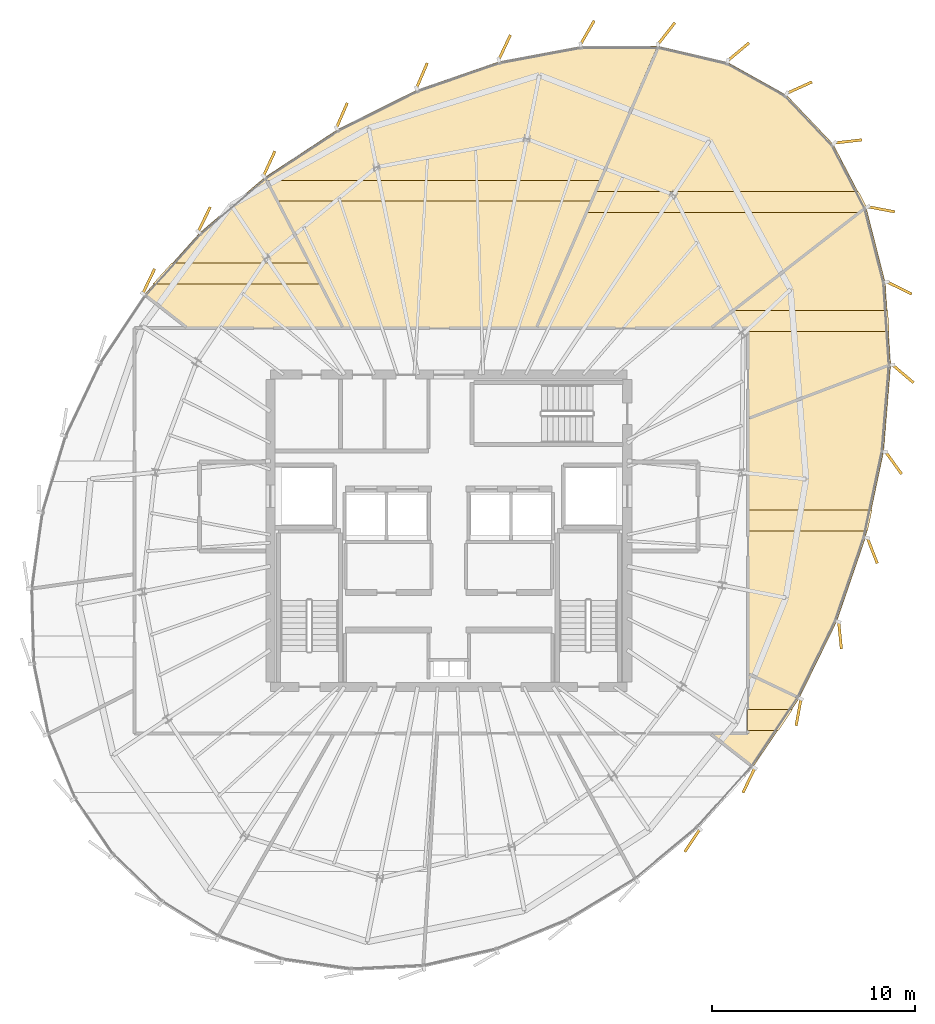
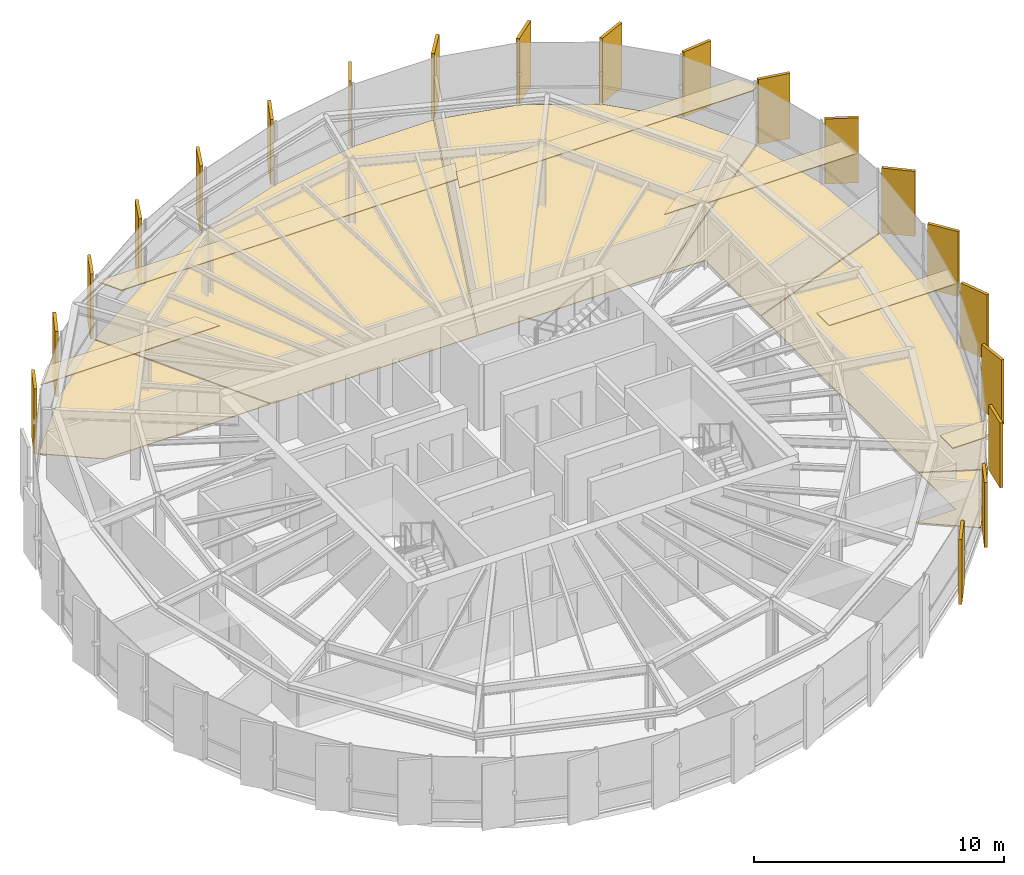
# One storey, part 35 of 35: 32 coverings.
"""IFC4 building model written with IfcOpenShell, lengths in metres."""

from ifc_helpers import new_model, si_unit, direction, frame, origin, origin_2d, place, context, subcontext, project, spatial, polyline, rectangle, outline, extrude, source, transform, mapped, material, layer, layer_set, type_object, element, save


model = new_model("IFC4")

# Units and contexts
model_context = context("Model", 3, precision=1e-05, world=origin(), true_north=direction((0.0, 1.0)))
body_context = subcontext(model_context, "Body", "Model", "MODEL_VIEW")
ifc_project = project(units=[si_unit("LENGTHUNIT", "METRE"), si_unit("AREAUNIT", "SQUARE_METRE"), si_unit("VOLUMEUNIT", "CUBIC_METRE"), si_unit("PLANEANGLEUNIT", "RADIAN"), si_unit("MASSUNIT", "GRAM", prefix="KILO"), si_unit("THERMODYNAMICTEMPERATUREUNIT", "KELVIN")], contexts=[model_context])

# Site, building, storey
site_placement = place(None, origin())
site = spatial("IfcSite", under=ifc_project, at=site_placement, CompositionType="ELEMENT")
building_placement = place(site_placement, origin())
building = spatial("IfcBuilding", under=site, at=building_placement, Name="Kethvar Cultural Tower", CompositionType="ELEMENT")
storey_placement = place(building_placement, frame((0.0, 0.0, 245.64990234375)))
storey = spatial("IfcBuildingStorey", under=building, at=storey_placement, Name="L64", CompositionType="ELEMENT", Elevation=245.64990234375)

# Coverings
ifc_material_1 = material(Name="Acoustic Mineral Fibre Ceiling")
ifc_layer_1 = layer(ifc_material_1, 0.0400390625, Name="Acoustic Mineral Fibre Ceiling")
ifc_layer_set_1 = layer_set([ifc_layer_1], Name="Acoustic Mineral Fibre Ceiling (40 mm)")
covering_type_1 = type_object("IfcCoveringType", Name="CV-ACOUSTIC-CEIL", PredefinedType="CEILING", material=ifc_layer_set_1)
covering_1_placement = place(storey_placement, frame((0.0, 0.0, 2.89013671875)))
element("IfcCovering", 1, at=covering_1_placement, inside=storey, type_object=covering_type_1, Name="L64 Room 06 Acoustic Ceiling Panel", PredefinedType="CEILING", context=body_context, shape_type="SweptSolid", body=[
    extrude(outline(polyline([(61.5439453125, 18.9775390625), (63.7451171875, 18.9775390625), (63.056884765625, 17.947509765625), (61.5439453125, 17.947509765625), (61.5439453125, 18.9775390625)])), origin(), (0.0, 0.0, 1.0), 0.0400390625),
])
covering_2_placement = place(storey_placement, frame((0.0, 0.0, 2.89013671875)))
element("IfcCovering", 2, at=covering_2_placement, inside=storey, type_object=covering_type_1, Name="L64 Room 07 Acoustic Ceiling Panel", PredefinedType="CEILING", context=body_context, shape_type="SweptSolid", body=[
    extrude(outline(polyline([(67.455810546875, 27.798828125), (61.5439453125, 27.798828125), (61.5439453125, 28.828857421875), (67.674560546875, 28.828857421875), (67.455810546875, 27.798828125)])), origin(), (0.0, 0.0, 1.0), 0.0400390625),
])
covering_3_placement = place(storey_placement, frame((0.0, 0.0, 2.89013671875)))
element("IfcCovering", 3, at=covering_3_placement, inside=storey, type_object=covering_type_1, Name="L64 Room 08 Acoustic Ceiling Panel", PredefinedType="CEILING", context=body_context, shape_type="SweptSolid", body=[
    extrude(outline(polyline([(68.5205078125, 37.630615234375), (61.5439453125, 37.630615234375), (61.5439453125, 37.77294921875), (59.69091796875, 37.79345703125), (60.79931640625, 38.66064453125), (68.451904296875, 38.66064453125), (68.5205078125, 37.630615234375)])), origin(), (0.0, 0.0, 1.0), 0.0400390625),
])
covering_4_placement = place(storey_placement, frame((0.0, 0.0, 2.89013671875)))
element("IfcCovering", 4, at=covering_4_placement, inside=storey, type_object=covering_type_1, Name="L64 Room 09 Acoustic Ceiling Panel", PredefinedType="CEILING", context=body_context, shape_type="SweptSolid", body=[
    extrude(outline(polyline([(67.41845703125, 43.751708984375), (67.11083984375, 43.495361328125), (53.55078125, 43.495361328125), (53.9951171875, 44.525390625), (67.015869140625, 44.525390625), (67.41845703125, 43.751708984375)])), origin(), (0.0, 0.0, 1.0), 0.0400390625),
])
covering_5_placement = place(storey_placement, frame((0.0, 0.0, 2.89013671875)))
element("IfcCovering", 5, at=covering_5_placement, inside=storey, type_object=covering_type_1, Name="L64 Room 10 Acoustic Ceiling Panel", PredefinedType="CEILING", context=body_context, shape_type="SweptSolid", body=[
    extrude(outline(polyline([(53.8369140625, 44.0576171875), (38.30322265625, 44.0576171875), (37.766357421875, 45.087646484375), (54.28125, 45.087646484375), (53.8369140625, 44.0576171875)])), origin(), (0.0, 0.0, 1.0), 0.0400390625),
])
covering_6_placement = place(storey_placement, frame((0.0, 0.0, 2.89013671875)))
element("IfcCovering", 6, at=covering_6_placement, inside=storey, type_object=covering_type_1, Name="L64 Room 11 Acoustic Ceiling Panel", PredefinedType="CEILING", context=body_context, shape_type="SweptSolid", body=[
    extrude(outline(polyline([(40.478515625, 39.970947265625), (32.206298828125, 39.970947265625), (33.12890625, 41.0009765625), (39.941650390625, 41.0009765625), (40.478515625, 39.970947265625)])), origin(), (0.0, 0.0, 1.0), 0.0400390625),
])
ifc_material_2 = material(Name="Honed Warm Limestone", Category="masonry")
ifc_layer_2 = layer(ifc_material_2, 0.030029296875, Name="Honed Warm Limestone", Category="masonry")
ifc_layer_set_2 = layer_set([ifc_layer_2], Name="Honed Warm Limestone (30 mm)")
covering_type_2 = type_object("IfcCoveringType", Name="CV-STONE-FLOOR", PredefinedType="FLOORING", material=ifc_layer_set_2)
covering_7_placement = place(storey_placement, origin())
element("IfcCovering", 7, at=covering_7_placement, inside=storey, type_object=covering_type_2, Name="L64 Room 06 Floor Finish", PredefinedType="FLOORING", context=body_context, shape_type="SweptSolid", body=[
    extrude(outline(polyline([(61.82275390625, 16.172607421875), (59.7412109375, 17.787109375), (61.58056640625, 17.7958984375), (61.583984375, 20.7216796875), (64.069580078125, 19.535400390625), (61.82275390625, 16.172607421875)])), origin(), (0.0, 0.0, 1.0), 0.030029296875),
])
covering_8_placement = place(storey_placement, origin())
element("IfcCovering", 8, at=covering_8_placement, inside=storey, type_object=covering_type_2, Name="L64 Room 07 Floor Finish", PredefinedType="FLOORING", context=body_context, shape_type="SweptSolid", body=[
    extrude(outline(polyline([(68.243896484375, 31.70361328125), (67.337890625, 27.434814453125), (65.93359375, 23.340087890625), (64.08984375, 19.570068359375), (61.583984375, 20.76611328125), (61.583984375, 33.318603515625), (68.588623046875, 35.943359375), (68.243896484375, 31.70361328125)])), origin(), (0.0, 0.0, 1.0), 0.030029296875),
])
covering_9_placement = place(storey_placement, origin())
element("IfcCovering", 9, at=covering_9_placement, inside=storey, type_object=covering_type_2, Name="L64 Room 08 Floor Finish", PredefinedType="FLOORING", context=body_context, shape_type="SweptSolid", body=[
    extrude(outline(polyline([(68.319091796875, 40.0498046875), (68.590087890625, 35.98681640625), (61.583984375, 33.361328125), (61.58251953125, 37.80078125), (59.769287109375, 37.81298828125), (67.387939453125, 43.7099609375), (68.319091796875, 40.0498046875)])), origin(), (0.0, 0.0, 1.0), 0.030029296875),
])
covering_10_placement = place(storey_placement, origin())
element("IfcCovering", 10, at=covering_10_placement, inside=storey, type_object=covering_type_2, Name="L64 Room 09 Floor Finish", PredefinedType="FLOORING", context=body_context, shape_type="SweptSolid", body=[
    extrude(outline(polyline([(67.37451171875, 43.75), (59.7041015625, 37.81298828125), (51.142333984375, 37.81298828125), (57.132080078125, 51.694580078125), (60.5458984375, 50.89990234375), (63.45849609375, 49.27587890625), (65.755859375, 46.85888671875), (67.37451171875, 43.75)])), origin(), (0.0, 0.0, 1.0), 0.030029296875),
])
covering_11_placement = place(storey_placement, origin())
element("IfcCovering", 11, at=covering_11_placement, inside=storey, type_object=covering_type_2, Name="L64 Room 10 Floor Finish", PredefinedType="FLOORING", context=body_context, shape_type="SweptSolid", body=[
    extrude(outline(polyline([(41.3388671875, 47.601806640625), (45.248046875, 49.541015625), (49.29736328125, 50.939208984375), (53.3134765625, 51.689453125), (57.090087890625, 51.69775390625), (51.0986328125, 37.81298828125), (41.603271484375, 37.81298828125), (37.73583984375, 45.232666015625), (41.3388671875, 47.601806640625)])), origin(), (0.0, 0.0, 1.0), 0.030029296875),
])
covering_12_placement = place(storey_placement, origin())
element("IfcCovering", 12, at=covering_12_placement, inside=storey, type_object=covering_type_2, Name="L64 Room 11 Floor Finish", PredefinedType="FLOORING", context=body_context, shape_type="SweptSolid", body=[
    extrude(outline(polyline([(34.514892578125, 42.488037109375), (37.70361328125, 45.2080078125), (41.55810546875, 37.81298828125), (33.923828125, 37.81298828125), (31.8017578125, 39.458984375), (34.514892578125, 42.488037109375)])), origin(), (0.0, 0.0, 1.0), 0.030029296875),
])
ifc_material_3 = material(Name="Extruded Architectural Terracotta", Category="masonry")
ifc_layer_3 = layer(ifc_material_3, 0.135009765625, Name="Extruded Architectural Terracotta", Category="masonry")
ifc_layer_set_3 = layer_set([ifc_layer_3], Name="Extruded Architectural Terracotta (135 mm)")
covering_type_3 = type_object("IfcCoveringType", Name="Terracotta Facade Fin FIN-03", PredefinedType="CLADDING", material=ifc_layer_set_3)
shared_shape = source(origin(), body_context, "Body", "SweptSolid", [
    extrude(rectangle(XDim=1.35009765625, YDim=0.135009765625, at=origin_2d()), origin(), (0.0, 0.0, 1.0), 3.169921875),
])
for number, where, z_axis, x_axis, name in (
    (13, (64.093994140625, 49.656494140625, 0.02001953125), (0.0, 0.0, 1.0), (0.911618620107, 0.411037092578, 0.0), "L64 Vertical Terracotta Fin 1.1"),
    (14, (61.089111328125, 51.429931640625, 0.02001953125), (0.0, 0.0, 1.0), (0.76694119692, 0.64171738364, 0.0), "L64 Vertical Terracotta Fin 1.2"),
    (15, (57.53662109375, 52.3291015625, 0.02001953125), (0.0, 0.0, 1.0), (0.616898519672, 0.787042703051, 0.0), "L64 Vertical Terracotta Fin 1.3"),
    (16, (53.6337890625, 52.373046875, 0.02001953125), (0.0, 0.0, 1.0), (0.499092826328, 0.866548527613, 0.0), "L64 Vertical Terracotta Fin 1.4"),
    (17, (49.552978515625, 51.64501953125, 0.02001953125), (0.0, 0.0, 1.0), (0.425305466885, 0.90504986594, 0.0), "L64 Vertical Terracotta Fin 1.5"),
    (18, (45.470703125, 50.25146484375, 0.02001953125), (0.0, 0.0, 1.0), (0.394262724343, 0.918997771593, 0.0), "L64 Vertical Terracotta Fin 1.6"),
    (19, (41.5244140625, 48.285400390625, 0.02001953125), (0.0, 0.0, 1.0), (0.398909120029, 0.916990465576, 0.0), "L64 Vertical Terracotta Fin 2.1"),
    (20, (37.941650390625, 45.91259765625, 0.02001953125), (0.0, 0.0, 1.0), (0.420402474635, 0.907337731675, 0.0), "L64 Vertical Terracotta Fin 2.2"),
    (21, (34.73876953125, 43.16162109375, 0.02001953125), (0.0, 0.0, 1.0), (0.440879340739, 0.897566380225, 0.0), "L64 Vertical Terracotta Fin 2.3"),
    (22, (31.99853515625, 40.109130859375, 0.02001953125), (0.0, 0.0, 1.0), (0.433501810375, 0.901152695386, 0.0), "L64 Vertical Terracotta Fin 2.4"),
    (23, (58.81298828125, 12.523681640625, 0.02001953125), (0.0, 0.0, 1.0), (-0.55774510898, -0.830012285095, 0.0), "L64 Vertical Terracotta Fin 5.3"),
    (24, (61.600830078125, 15.4912109375, 0.02001953125), (0.0, 0.0, 1.0), (-0.434445257404, -0.900698239323, 0.0), "L64 Vertical Terracotta Fin 5.4"),
    (25, (64.049072265625, 18.844482421875, 0.02001953125), (0.0, 0.0, 1.0), (-0.180519145251, -0.983571470813, 0.0), "L64 Vertical Terracotta Fin 5.5"),
    (26, (66.094970703125, 22.634765625, 0.02001953125), (0.0, 0.0, 1.0), (0.099667083604, -0.995020840207, 0.0), "L64 Vertical Terracotta Fin 5.6"),
    (27, (67.68798828125, 26.81884765625, 0.02001953125), (0.0, 0.0, 1.0), (0.363088614146, -0.931754612695, 0.0), "L64 Vertical Terracotta Fin 6.1"),
    (28, (68.737548828125, 31.146240234375, 0.02001953125), (0.0, 0.0, 1.0), (0.583966337286, -0.811777874123, 0.0), "L64 Vertical Terracotta Fin 6.2"),
    (29, (69.204833984375, 35.540771484375, 0.02001953125), (0.0, 0.0, 1.0), (0.761312024621, -0.648385688589, 0.0), "L64 Vertical Terracotta Fin 6.3"),
    (30, (69.02197265625, 39.77392578125, 0.02001953125), (0.0, 0.0, 1.0), (0.896795533934, -0.442445217305, 0.0), "L64 Vertical Terracotta Fin 6.4"),
    (31, (68.134033203125, 43.65576171875, 0.02001953125), (0.0, 0.0, 1.0), (0.982547926806, -0.186009600639, 0.0), "L64 Vertical Terracotta Fin 6.5"),
    (32, (66.500732421875, 47.002685546875, 0.02001953125), (0.0, 0.0, 1.0), (0.99343281038, 0.114417005998, 0.0), "L64 Vertical Terracotta Fin 6.6"),
):
    element("IfcCovering", number, at=place(storey_placement, frame(where, z_axis=z_axis, x_axis=x_axis)), inside=storey, type_object=covering_type_3, Name=name, PredefinedType="CLADDING", context=body_context, shape_type="MappedRepresentation", body=[
        mapped(shared_shape, transform((0.0, 0.0, 0.0), scale=1.0)),
    ])

save(model, "model.ifc")
